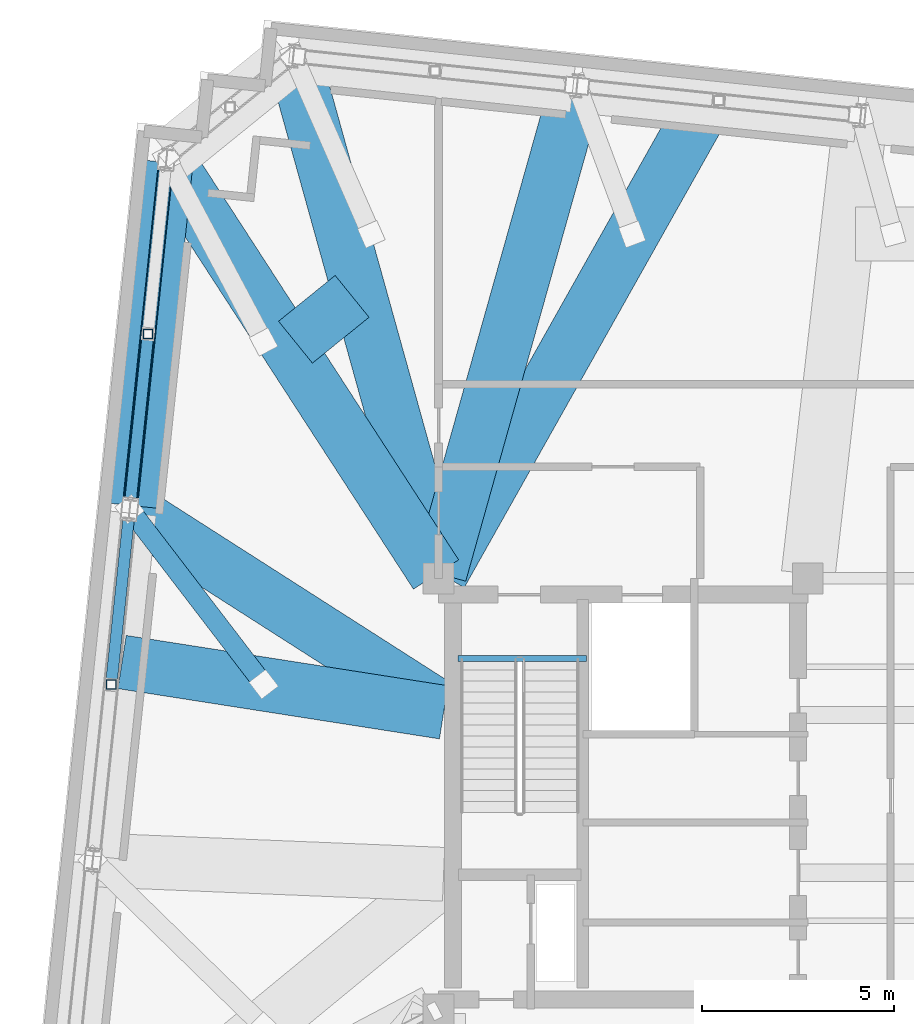
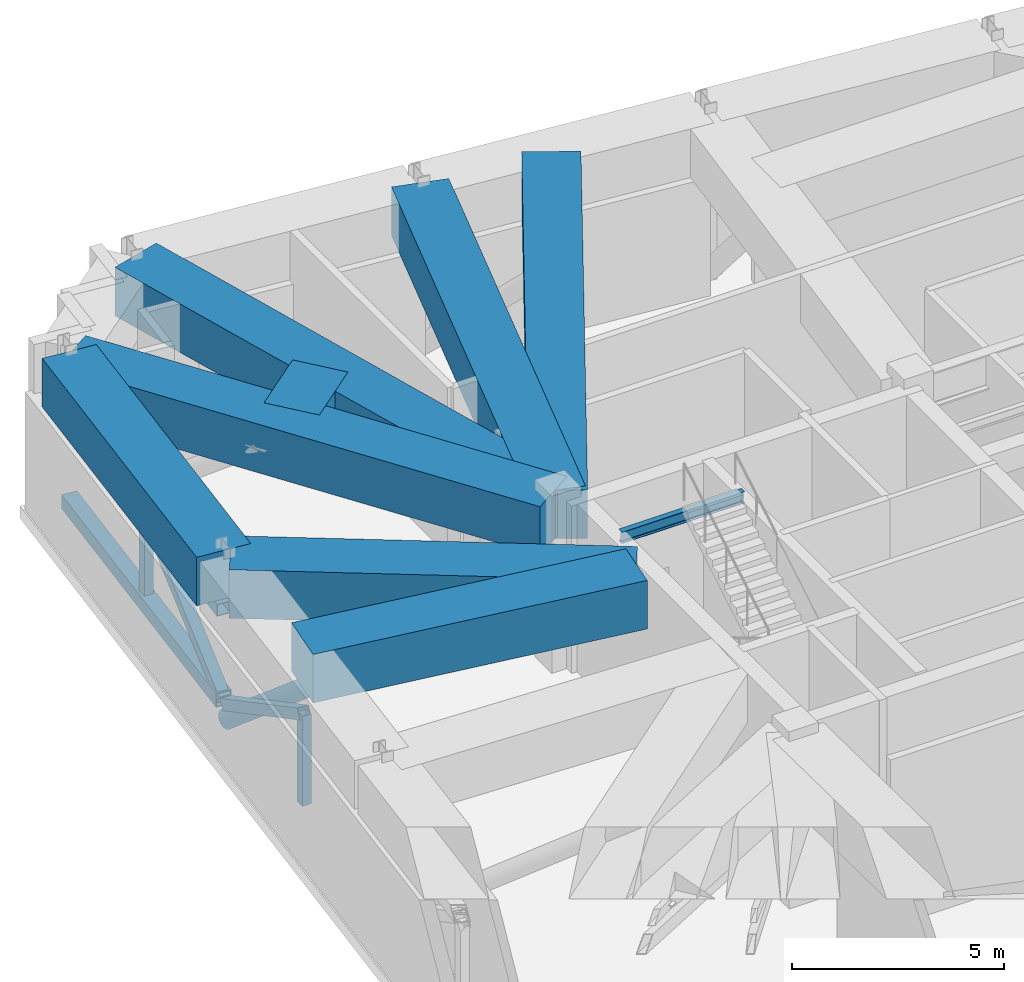
# One storey, part 7 of 21: 9 beams, 7 members.
"""IFC4 building model written with IfcOpenShell, lengths in metres."""

from ifc_helpers import new_model, si_unit, direction, frame, origin, origin_2d, place, context, subcontext, project, spatial, rectangle, hollow_rectangle, hollow_circle, i_section, extrude, material, material_profile, profile_set, type_object, element, save


model = new_model("IFC4")

# Units and contexts
model_context = context("Model", 3, precision=1e-05, world=origin(), true_north=direction((0.0, 1.0)))
body_context = subcontext(model_context, "Body", "Model", "MODEL_VIEW")
ifc_project = project(units=[si_unit("LENGTHUNIT", "METRE"), si_unit("AREAUNIT", "SQUARE_METRE"), si_unit("VOLUMEUNIT", "CUBIC_METRE"), si_unit("PLANEANGLEUNIT", "RADIAN"), si_unit("MASSUNIT", "GRAM", prefix="KILO")], contexts=[model_context])

# Site, building, storey
site_placement = place(None, origin())
site = spatial("IfcSite", under=ifc_project, at=site_placement, CompositionType="ELEMENT")
building_placement = place(site_placement, origin())
building = spatial("IfcBuilding", under=site, at=building_placement, Name="Qobustan Lattice House", CompositionType="ELEMENT")
storey_placement = place(building_placement, frame((0.0, 0.0, 223.199951171875)))
storey = spatial("IfcBuildingStorey", under=building, at=storey_placement, Name="L63", CompositionType="ELEMENT", Elevation=223.199951171875)

# Beams
ifc_material_1 = material(Name="Steel S355", Category="steel")
ifc_material_profile_1 = material_profile(ifc_material_1, i_section(OverallWidth=0.159912109375, OverallDepth=0.330078125, WebThickness=0.007568359375, FlangeThickness=0.011474609375, FilletRadius=0.01806640625, at=origin_2d()), Name="IPE330")
ifc_profile_set_1 = profile_set([ifc_material_profile_1], Name="Steel S355")
beam_type_1 = type_object("IfcBeamType", Name="BM-SPD-IPE330", PredefinedType="SPANDREL", material=ifc_profile_set_1)
beam_1_placement = place(storey_placement, frame((-18.300048828125, 3.52001953125, 4.655029296875), z_axis=(1.0, 0.0, 0.0), x_axis=(0.0, 1.0, 0.0)))
element("IfcBeam", 1, at=beam_1_placement, inside=storey, type_object=beam_type_1, Name="L63 west stair landing trimmer beam", PredefinedType="SPANDREL", context=body_context, shape_type="SweptSolid", body=[
    extrude(i_section(OverallWidth=0.159912109375, OverallDepth=0.330078125, WebThickness=0.007568359375, FlangeThickness=0.011474609375, FilletRadius=0.01806640625, at=origin_2d()), origin(), (0.0, 0.0, 1.0), 3.35009765625),
])
ifc_material_2 = material(Name="Concrete C60/75", Category="concrete")
ifc_material_profile_2 = material_profile(ifc_material_2, rectangle(XDim=1.39990234375, YDim=1.39990234375, at=origin_2d()), Name="RC1400x1400")
ifc_profile_set_2 = profile_set([ifc_material_profile_2], Name="Concrete C60/75")
beam_type_2 = type_object("IfcBeamType", Name="BM-TRG-RC1400", PredefinedType="USERDEFINED", material=ifc_profile_set_2)
beam_2_placement = place(storey_placement, frame((-25.885009765625, 16.41455078125, 4.1201171875), z_axis=(-0.104500528433, -0.994524831041, 0.0), x_axis=(0.994524831041, -0.104500528433, 0.0)))
element("IfcBeam", 2, at=beam_2_placement, inside=storey, type_object=beam_type_2, Name="L63 TT4 lower perimeter transfer girder W1-W2", ObjectType="GIRDER", PredefinedType="USERDEFINED", context=body_context, shape_type="SweptSolid", body=[
    extrude(rectangle(XDim=1.39990234375, YDim=1.39990234375, at=origin_2d()), origin(), (0.0, 0.0, 1.0), 8.966552734375),
])
beam_3_placement = place(storey_placement, frame((-18.767578125, 5.715576171875, 4.1201171875), z_axis=(0.270495549815, 0.962721225241, 0.0), x_axis=(-0.962721225241, 0.270495549815, 0.0)))
element("IfcBeam", 3, at=beam_3_placement, inside=storey, type_object=beam_type_2, Name="L63 TT4 radial transfer girder N6", ObjectType="GIRDER", PredefinedType="USERDEFINED", context=body_context, shape_type="SweptSolid", body=[
    extrude(rectangle(XDim=1.39990234375, YDim=1.39990234375, at=origin_2d()), origin(), (0.0, 0.0, 1.0), 13.064697265625),
])
beam_4_placement = place(storey_placement, frame((-18.83203125, 5.715576171875, 4.1201171875), z_axis=(-0.267913687973, 0.963442917768, 0.0), x_axis=(-0.963442917768, -0.267913687973, 0.0)))
element("IfcBeam", 4, at=beam_4_placement, inside=storey, type_object=beam_type_2, Name="L63 TT4 radial transfer girder N7", ObjectType="GIRDER", PredefinedType="USERDEFINED", context=body_context, shape_type="SweptSolid", body=[
    extrude(rectangle(XDim=1.39990234375, YDim=1.39990234375, at=origin_2d()), origin(), (0.0, 0.0, 1.0), 13.859375),
])
beam_5_placement = place(storey_placement, frame((-18.865234375, 5.70068359375, 4.1201171875), z_axis=(-0.543921140295, 0.839136337635, 0.0), x_axis=(-0.839136337635, -0.543921140295, 0.0)))
element("IfcBeam", 5, at=beam_5_placement, inside=storey, type_object=beam_type_2, Name="L63 TT4 radial transfer girder W1", ObjectType="GIRDER", PredefinedType="USERDEFINED", context=body_context, shape_type="SweptSolid", body=[
    extrude(rectangle(XDim=1.39990234375, YDim=1.39990234375, at=origin_2d()), origin(), (0.0, 0.0, 1.0), 12.766357421875),
])
beam_6_placement = place(storey_placement, frame((-18.651123046875, 2.164794921875, 4.1201171875), z_axis=(-0.842422526254, 0.53881748975, 0.0), x_axis=(-0.53881748975, -0.842422526254, 0.0)))
element("IfcBeam", 6, at=beam_6_placement, inside=storey, type_object=beam_type_2, Name="L63 TT4 radial transfer girder W2", ObjectType="GIRDER", PredefinedType="USERDEFINED", context=body_context, shape_type="SweptSolid", body=[
    extrude(rectangle(XDim=1.39990234375, YDim=1.39990234375, at=origin_2d()), origin(), (0.0, 0.0, 1.0), 9.591796875),
])
beam_7_placement = place(storey_placement, frame((-21.048583984375, 12.9326171875, 4.1201171875), z_axis=(-0.777181804942, -0.629276125455, 0.0), x_axis=(0.629276125455, -0.777181804942, 0.0)))
element("IfcBeam", 7, at=beam_7_placement, inside=storey, type_object=beam_type_2, Name="L63 TT4 quadrant transfer tie girder 2", ObjectType="GIRDER", PredefinedType="USERDEFINED", context=body_context, shape_type="SweptSolid", body=[
    extrude(rectangle(XDim=1.39990234375, YDim=1.39990234375, at=origin_2d()), origin(), (0.0, 0.0, 1.0), 1.893310546875),
])
beam_8_placement = place(storey_placement, frame((-18.7412109375, 5.70458984375, 4.1201171875), z_axis=(0.490193909429, 0.871613406941, 0.0), x_axis=(-0.871613406941, 0.490193909429, 0.0)))
element("IfcBeam", 8, at=beam_8_placement, inside=storey, type_object=beam_type_2, Name="L63 TT4 primary column transfer girder N6", ObjectType="GIRDER", PredefinedType="USERDEFINED", context=body_context, shape_type="SweptSolid", body=[
    extrude(rectangle(XDim=1.39990234375, YDim=1.39990234375, at=origin_2d()), origin(), (0.0, 0.0, 1.0), 13.94482421875),
])
beam_9_placement = place(storey_placement, frame((-18.668701171875, 2.118408203125, 4.1201171875), z_axis=(-0.988011071107, 0.154383041071, 0.0), x_axis=(-0.154383041071, -0.988011071107, 0.0)))
element("IfcBeam", 9, at=beam_9_placement, inside=storey, type_object=beam_type_2, Name="L63 TT4 primary column transfer girder W2", ObjectType="GIRDER", PredefinedType="USERDEFINED", context=body_context, shape_type="SweptSolid", body=[
    extrude(rectangle(XDim=1.39990234375, YDim=1.39990234375, at=origin_2d()), origin(), (0.0, 0.0, 1.0), 8.462158203125),
])

# Members
ifc_material_3 = material(Name="Steel S355", Category="steel")
ifc_material_profile_3 = material_profile(ifc_material_3, hollow_rectangle(XDim=0.300048828125, YDim=0.300048828125, WallThickness=0.01611328125, at=origin_2d()), Name="SHS300x300x16")
ifc_profile_set_3 = profile_set([ifc_material_profile_3], Name="Steel S355")
member_type_1 = type_object("IfcMemberType", Name="MEM-BRC-SHS300", PredefinedType="BRACE", material=ifc_profile_set_3)
for number, where, z_axis, x_axis, name in (
    (10, (-26.353515625, 11.955810546875, 3.14013671875), (-0.090485593146, -0.861145590216, -0.500240572009), (0.994524831041, -0.104500528433, 0.0), "L63 TT4 belt truss web diagonal W1-W2 B"),
    (11, (-26.843017578125, 7.298095703125, 0.550048828125), (-0.090532359251, -0.861141915102, 0.500238437131), (0.99451917012, -0.104554389018, 0.0), "L63 TT4 belt truss web diagonal W2-W3 A"),
):
    element("IfcMember", number, at=place(storey_placement, frame(where, z_axis=z_axis, x_axis=x_axis)), inside=storey, type_object=member_type_1, Name=name, PredefinedType="BRACE", context=body_context, shape_type="SweptSolid", body=[
        extrude(hollow_rectangle(XDim=0.300048828125, YDim=0.300048828125, WallThickness=0.01611328125, at=origin_2d()), origin(), (0.0, 0.0, 1.0), 5.177734375),
    ])
ifc_material_4 = material(Name="Steel S355", Category="steel")
ifc_material_profile_4 = material_profile(ifc_material_4, hollow_rectangle(XDim=0.35009765625, YDim=0.35009765625, WallThickness=0.01611328125, at=origin_2d()), Name="SHS350x350x16")
ifc_profile_set_4 = profile_set([ifc_material_profile_4], Name="Steel S355")
member_type_2 = type_object("IfcMemberType", Name="MEM-CHD-SHS350", PredefinedType="CHORD", material=ifc_profile_set_4)
member_1_placement = place(storey_placement, frame((-25.885009765625, 16.41455078125, 3.14013671875), z_axis=(-0.104500528433, -0.994524831041, 0.0), x_axis=(0.994524831041, -0.104500528433, 0.0)))
element("IfcMember", 12, at=member_1_placement, inside=storey, type_object=member_type_2, Name="L63 TT4 belt truss top chord W1-W2", PredefinedType="CHORD", context=body_context, shape_type="SweptSolid", body=[
    extrude(hollow_rectangle(XDim=0.35009765625, YDim=0.35009765625, WallThickness=0.01611328125, at=origin_2d()), origin(), (0.0, 0.0, 1.0), 8.966552734375),
])
ifc_material_5 = material(Name="Steel S355", Category="steel")
ifc_material_profile_5 = material_profile(ifc_material_5, hollow_rectangle(XDim=0.39990234375, YDim=0.39990234375, WallThickness=0.02001953125, at=origin_2d()), Name="SHS400x400x20")
ifc_profile_set_5 = profile_set([ifc_material_profile_5], Name="Steel S355")
member_type_3 = type_object("IfcMemberType", Name="MEM-CHD-SHS400", PredefinedType="CHORD", material=ifc_profile_set_5)
member_2_placement = place(storey_placement, frame((-25.885009765625, 16.41455078125, 0.550048828125), z_axis=(-0.104500528433, -0.994524831041, 0.0), x_axis=(0.994524831041, -0.104500528433, 0.0)))
element("IfcMember", 13, at=member_2_placement, inside=storey, type_object=member_type_3, Name="L63 TT4 belt truss bottom chord W1-W2", PredefinedType="CHORD", context=body_context, shape_type="SweptSolid", body=[
    extrude(hollow_rectangle(XDim=0.39990234375, YDim=0.39990234375, WallThickness=0.02001953125, at=origin_2d()), origin(), (0.0, 0.0, 1.0), 8.966552734375),
])
ifc_material_6 = material(Name="Steel S355", Category="steel")
ifc_material_profile_6 = material_profile(ifc_material_6, hollow_rectangle(XDim=0.25, YDim=0.25, WallThickness=0.012451171875, at=origin_2d()), Name="SHS250x250x12.5")
ifc_profile_set_6 = profile_set([ifc_material_profile_6], Name="Steel S355")
member_type_4 = type_object("IfcMemberType", Name="MEM-PST-SHS250", PredefinedType="POST", material=ifc_profile_set_6)
for number, where, z_axis, x_axis, name in (
    (14, (-26.353515625, 11.955810546875, 0.550048828125), (0.0, 0.0, 1.0), (1.0, 0.0, 0.0), "L63 TT4 belt truss vertical post W1-W2"),
    (15, (-27.311767578125, 2.83935546875, 0.550048828125), (0.0, 0.0, 1.0), (1.0, 0.0, 0.0), "L63 TT4 belt truss vertical post W2-W3"),
):
    element("IfcMember", number, at=place(storey_placement, frame(where, z_axis=z_axis, x_axis=x_axis)), inside=storey, type_object=member_type_4, Name=name, PredefinedType="POST", context=body_context, shape_type="SweptSolid", body=[
        extrude(hollow_rectangle(XDim=0.25, YDim=0.25, WallThickness=0.012451171875, at=origin_2d()), origin(), (0.0, 0.0, 1.0), 2.590087890625),
    ])
ifc_material_7 = material(Name="Steel S355", Category="steel")
ifc_material_profile_7 = material_profile(ifc_material_7, hollow_circle(Radius=0.25390625, WallThickness=0.02001953125, at=origin_2d()), Name="CHS508x20")
ifc_profile_set_7 = profile_set([ifc_material_profile_7], Name="Steel S355")
member_type_5 = type_object("IfcMemberType", Name="MEM-STR-CHS508", PredefinedType="STRUT", material=ifc_profile_set_7)
member_3_placement = place(storey_placement, frame((-26.83251953125, 7.397705078125, 0.01513671875), z_axis=(0.494177547084, -0.645334069653, 0.582522523602), x_axis=(0.793949937837, 0.607983138096, 0.0)))
element("IfcMember", 16, at=member_3_placement, inside=storey, type_object=member_type_5, Name="L63 TT4 column transfer strut W2", PredefinedType="STRUT", context=body_context, shape_type="SweptSolid", body=[
    extrude(hollow_circle(Radius=0.25390625, WallThickness=0.02001953125, at=origin_2d()), origin(), (0.0, 0.0, 1.0), 7.046875),
])

save(model, "model.ifc")
